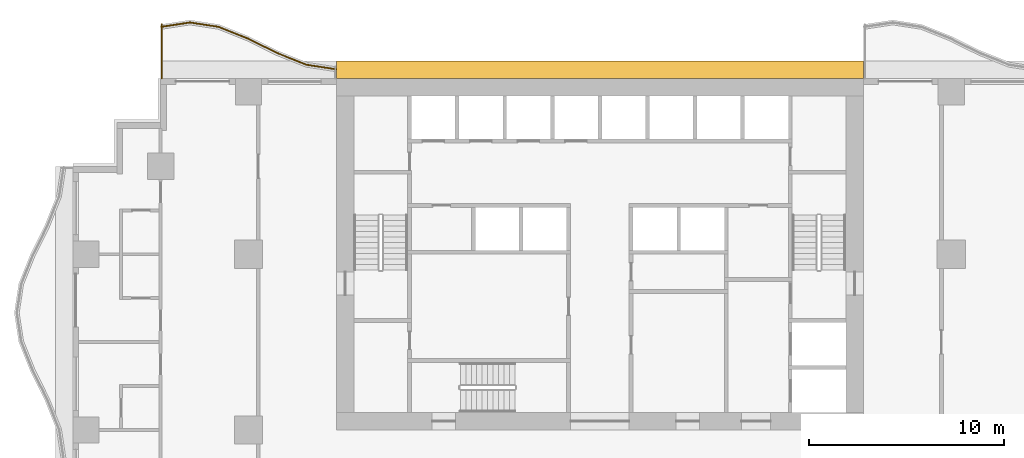
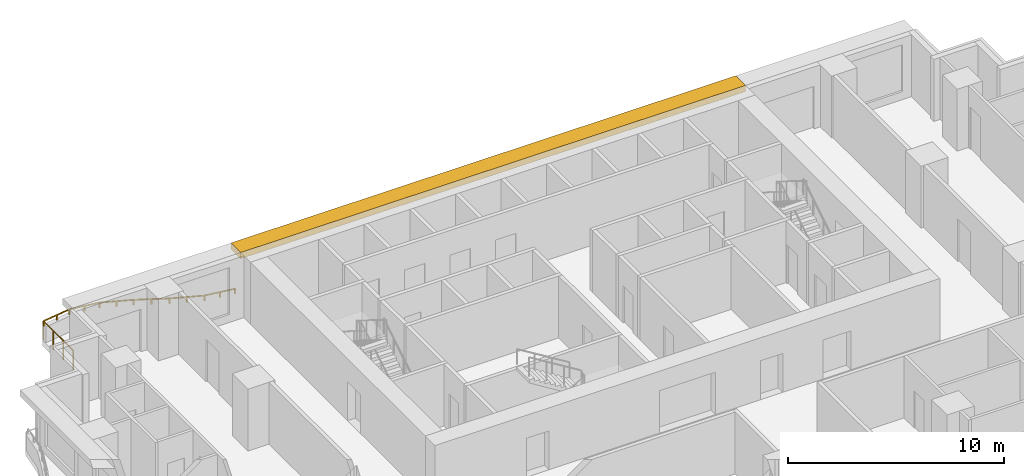
# One storey, part 12 of 13: 2 railings, 1 shading device.
"""IFC4 building model written with IfcOpenShell, lengths in metres."""

from ifc_helpers import new_model, si_unit, direction, frame, origin, origin_2d, place, context, subcontext, project, spatial, polyline, rectangle, outline, extrude, material, layer, layer_set, type_object, element, save


model = new_model("IFC4")

# Units and contexts
model_context = context("Model", 3, precision=1e-05, world=origin(), true_north=direction((0.0, 1.0)))
body_context = subcontext(model_context, "Body", "Model", "MODEL_VIEW")
ifc_project = project(units=[si_unit("LENGTHUNIT", "METRE"), si_unit("AREAUNIT", "SQUARE_METRE"), si_unit("VOLUMEUNIT", "CUBIC_METRE"), si_unit("PLANEANGLEUNIT", "RADIAN"), si_unit("MASSUNIT", "GRAM", prefix="KILO")], contexts=[model_context])

# Site, building, storey
site_placement = place(None, origin())
site = spatial("IfcSite", under=ifc_project, at=site_placement, CompositionType="ELEMENT")
building_placement = place(site_placement, origin())
building = spatial("IfcBuilding", under=site, at=building_placement, Name="Orbiselva Terraces", CompositionType="ELEMENT")
storey_placement = place(building_placement, frame((0.0, 0.0, 69.4)))
storey = spatial("IfcBuildingStorey", under=building, at=storey_placement, Name="L17", CompositionType="ELEMENT", Elevation=69.4)

# Railings
ifc_material_1 = material(Name="Bonded two-ply safety glass balustrade, stainless steel posts", Category="steel")
railing_type_1 = type_object("IfcRailingType", Name="ENV-BALUSTRADE-1200", PredefinedType="BALUSTRADE", material=ifc_material_1)
railing_1_placement = place(storey_placement, frame((-13.518879, 22.976434, 0.9)))
element("IfcRailing", 1, at=railing_1_placement, inside=storey, type_object=railing_type_1, Name="Balcony balustrade L17 NW", PredefinedType="BALUSTRADE", context=body_context, shape_type="SweptSolid", body=[
    extrude(outline(polyline([(0.028868, 0.0), (0.014434, 0.025), (-0.014434, 0.025), (-0.028868, 0.0), (-0.014434, -0.025), (0.014434, -0.025), (0.028868, 0.0)])), frame((0.0, 0.0, 0.275), z_axis=(-0.988528588529, 0.151033869252, 0.0), x_axis=(-0.151033869252, -0.988528588529, 0.0)), (0.0, 0.0, 1.0), 1.531776),
    extrude(outline(polyline([(0.028868, 0.0), (0.014434, 0.025), (-0.014434, 0.025), (-0.028868, 0.0), (-0.014434, -0.025), (0.014434, -0.025), (0.028868, 0.0)])), frame((-1.514204, 0.23135, 0.275), z_axis=(-0.92847681744, 0.371390359967, 0.0), x_axis=(-0.371390359967, -0.92847681744, 0.0)), (0.0, 0.0, 1.0), 1.634838),
    extrude(outline(polyline([(0.028868, 0.0), (0.014434, 0.025), (-0.014434, 0.025), (-0.028868, 0.0), (-0.014434, -0.025), (0.014434, -0.025), (0.028868, 0.0)])), frame((-3.032113, 0.838513, 0.275), z_axis=(-0.896416672454, 0.443212307306, 0.0), x_axis=(-0.443212307306, -0.896416672454, 0.0)), (0.0, 0.0, 1.0), 1.673329),
    extrude(outline(polyline([(0.028868, 0.0), (0.014434, 0.025), (-0.014434, 0.025), (-0.028868, 0.0), (-0.014434, -0.025), (0.014434, -0.025), (0.028868, 0.0)])), frame((-4.532113, 1.580153, 0.275), z_axis=(-0.928476561272, 0.371391000387, 0.0), x_axis=(-0.371391000387, -0.928476561272, 0.0)), (0.0, 0.0, 1.0), 1.596261),
    extrude(outline(polyline([(0.028868, 0.0), (0.014434, 0.025), (-0.014434, 0.025), (-0.028868, 0.0), (-0.014434, -0.025), (0.014434, -0.025), (0.028868, 0.0)])), frame((-6.014204, 2.17299, 0.275), z_axis=(-0.988528606898, 0.151033749027, 0.0), x_axis=(-0.151033749027, -0.988528606898, 0.0)), (0.0, 0.0, 1.0), 1.48394),
    extrude(outline(polyline([(0.028868, 0.0), (0.014434, 0.025), (-0.014434, 0.025), (-0.028868, 0.0), (-0.014434, -0.025), (0.014434, -0.025), (0.028868, 0.0)])), frame((-7.481121, 2.397115, 0.275), z_axis=(-0.988528624669, -0.151033632714, 0.0), x_axis=(0.151033632714, -0.988528624669, 0.0)), (0.0, 0.0, 1.0), 1.498309),
    extrude(rectangle(XDim=0.05, YDim=0.05, at=origin_2d()), origin(), (0.0, 0.0, 1.0), 0.25),
    extrude(rectangle(XDim=0.05, YDim=0.05, at=origin_2d()), frame((-0.757102, 0.115675, 0.0)), (0.0, 0.0, 1.0), 0.25),
    extrude(rectangle(XDim=0.05, YDim=0.05, at=origin_2d()), frame((-1.514204, 0.23135, 0.0)), (0.0, 0.0, 1.0), 0.25),
    extrude(rectangle(XDim=0.05, YDim=0.05, at=origin_2d()), frame((-2.273158, 0.534931, 0.0)), (0.0, 0.0, 1.0), 0.25),
    extrude(rectangle(XDim=0.05, YDim=0.05, at=origin_2d()), frame((-3.032113, 0.838513, 0.0)), (0.0, 0.0, 1.0), 0.25),
    extrude(rectangle(XDim=0.05, YDim=0.05, at=origin_2d()), frame((-3.782113, 1.209333, 0.0)), (0.0, 0.0, 1.0), 0.25),
    extrude(rectangle(XDim=0.05, YDim=0.05, at=origin_2d()), frame((-4.532113, 1.580153, 0.0)), (0.0, 0.0, 1.0), 0.25),
    extrude(rectangle(XDim=0.05, YDim=0.05, at=origin_2d()), frame((-5.273159, 1.876571, 0.0)), (0.0, 0.0, 1.0), 0.25),
    extrude(rectangle(XDim=0.05, YDim=0.05, at=origin_2d()), frame((-6.014204, 2.17299, 0.0)), (0.0, 0.0, 1.0), 0.25),
    extrude(rectangle(XDim=0.05, YDim=0.05, at=origin_2d()), frame((-6.747663, 2.285052, 0.0)), (0.0, 0.0, 1.0), 0.25),
    extrude(rectangle(XDim=0.05, YDim=0.05, at=origin_2d()), frame((-7.481121, 2.397115, 0.0)), (0.0, 0.0, 1.0), 0.25),
    extrude(rectangle(XDim=0.05, YDim=0.05, at=origin_2d()), frame((-8.221682, 2.283967, 0.0)), (0.0, 0.0, 1.0), 0.25),
    extrude(rectangle(XDim=0.05, YDim=0.05, at=origin_2d()), frame((-8.962242, 2.17082, 0.0)), (0.0, 0.0, 1.0), 0.25),
])
ifc_material_2 = material(Name="Stainless steel rail and posts", Category="steel")
railing_type_2 = type_object("IfcRailingType", Name="ENV-GUARD-1105", PredefinedType="BALUSTRADE", material=ifc_material_2)
railing_2_placement = place(storey_placement, frame((-22.44, 25.288239, 0.0)))
element("IfcRailing", 2, at=railing_2_placement, inside=storey, type_object=railing_type_2, Name="Balcony end guard L17 NW", PredefinedType="BALUSTRADE", context=body_context, shape_type="SweptSolid", body=[
    extrude(outline(polyline([(0.028868, 0.0), (0.014434, 0.025), (-0.014434, 0.025), (-0.028868, 0.0), (-0.014434, -0.025), (0.014434, -0.025), (0.028868, 0.0)])), frame((0.0, 0.0, 1.08), z_axis=(0.0, -1.0, 0.0), x_axis=(1.0, 0.0, 0.0)), (0.0, 0.0, 1.0), 2.763239),
    extrude(rectangle(XDim=0.05, YDim=0.05, at=origin_2d()), origin(), (0.0, 0.0, 1.0), 1.055),
    extrude(rectangle(XDim=0.05, YDim=0.05, at=origin_2d()), frame((0.0, -0.92108, 0.0)), (0.0, 0.0, 1.0), 1.055),
    extrude(rectangle(XDim=0.05, YDim=0.05, at=origin_2d()), frame((0.0, -1.842159, 0.0)), (0.0, 0.0, 1.0), 1.055),
    extrude(rectangle(XDim=0.05, YDim=0.05, at=origin_2d()), frame((0.0, -2.763239, 0.0)), (0.0, 0.0, 1.0), 1.055),
])

# Shading device
ifc_material_3 = material(Name="Terracotta baguette sunshade", Category="masonry")
ifc_layer = layer(ifc_material_3, 0.35)
ifc_layer_set = layer_set([ifc_layer], Name="Terracotta baguette sunshade")
shading_device_type = type_object("IfcShadingDeviceType", Name="ENV-SUNSHADE-900x350", PredefinedType="USERDEFINED", material=ifc_layer_set)
shading_device_placement = place(storey_placement, frame((0.0, 0.0, 3.15)))
element("IfcShadingDevice", 3, at=shading_device_placement, inside=storey, type_object=shading_device_type, Name="Sunshade band L17 CORE NORTH", ObjectType="SUNSHADE", PredefinedType="USERDEFINED", context=body_context, shape_type="SweptSolid", body=[
    extrude(outline(polyline([(13.5, 23.4), (-13.5, 23.4), (-13.5, 22.5), (13.5, 22.5), (13.5, 23.4)])), origin(), (0.0, 0.0, 1.0), 0.35),
])

save(model, "model.ifc")
